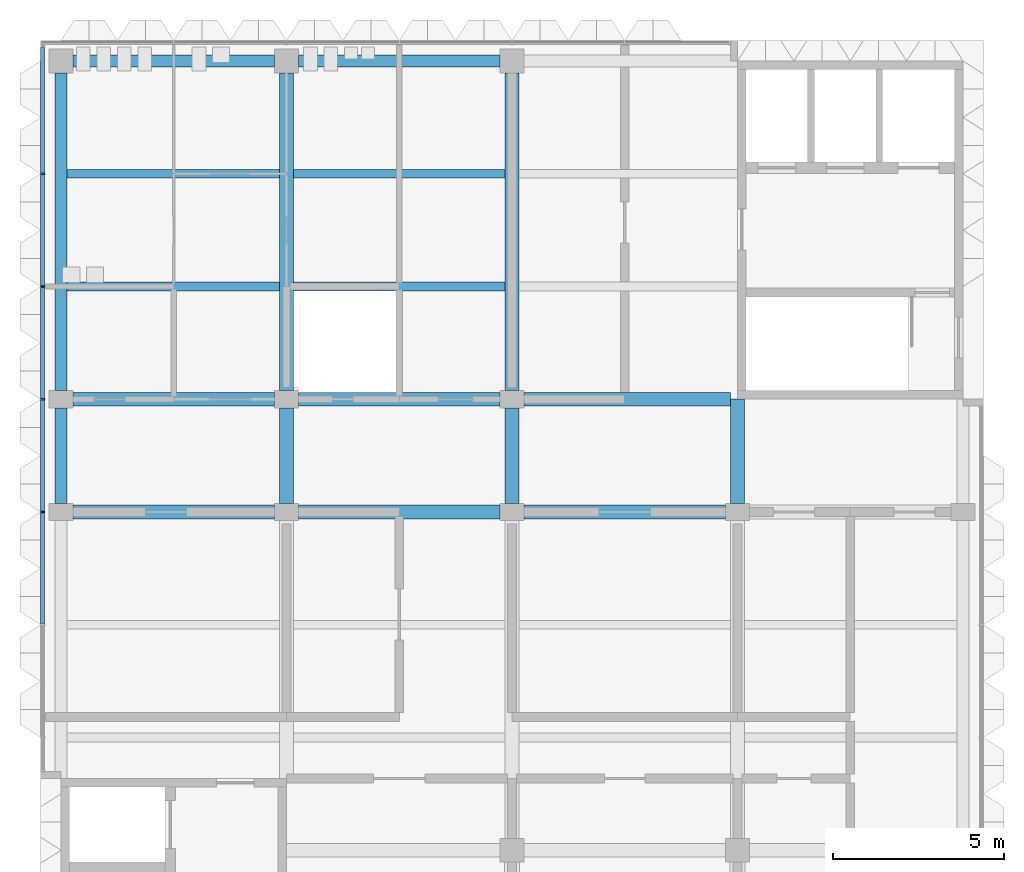
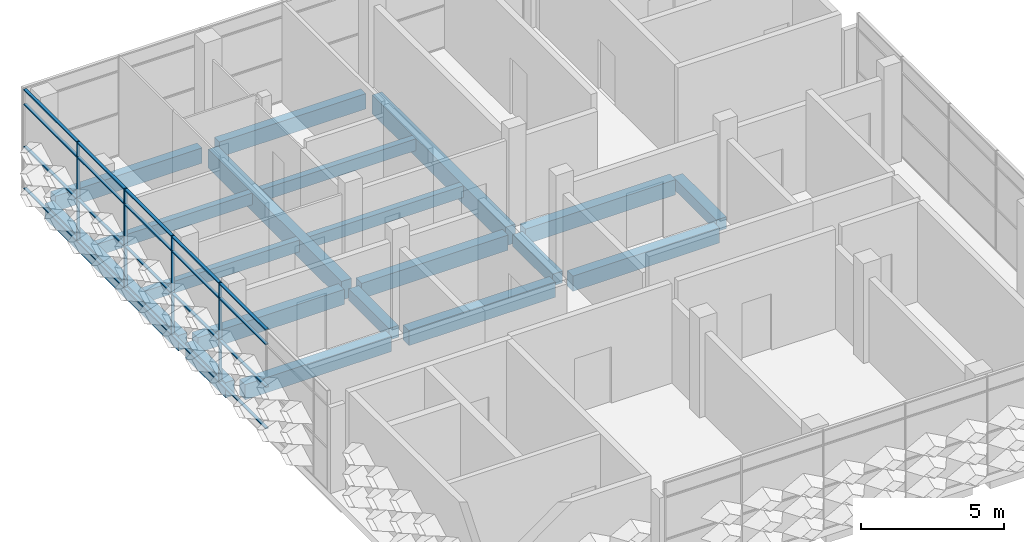
# One storey, part 4 of 21: 24 members, 19 beams, 1 element without a shape of its own.
"""IFC4 building model written with IfcOpenShell, lengths in metres."""

from ifc_helpers import new_model, si_unit, direction, frame, origin, origin_2d, place, context, subcontext, project, spatial, rectangle, extrude, material, material_profile, profile_set, type_object, element, aggregate, save


model = new_model("IFC4")

# Units and contexts
model_context = context("Model", 3, precision=1e-05, world=origin(), true_north=direction((0.0, 1.0)))
body_context = subcontext(model_context, "Body", "Model", "MODEL_VIEW")
ifc_project = project(units=[si_unit("LENGTHUNIT", "METRE"), si_unit("AREAUNIT", "SQUARE_METRE"), si_unit("VOLUMEUNIT", "CUBIC_METRE"), si_unit("PLANEANGLEUNIT", "RADIAN"), si_unit("MASSUNIT", "GRAM", prefix="KILO")], contexts=[model_context])

# Site, building, storey
site_placement = place(None, origin())
site = spatial("IfcSite", under=ifc_project, at=site_placement, CompositionType="ELEMENT")
building_placement = place(site_placement, origin())
building = spatial("IfcBuilding", under=site, at=building_placement, Name="Lantern Court Research Institute", CompositionType="ELEMENT")
storey_placement = place(building_placement, frame((0.0, 0.0, 41.39990234375)))
storey = spatial("IfcBuildingStorey", under=building, at=storey_placement, Name="L09", CompositionType="ELEMENT", Elevation=41.39990234375)

# Curtain wall, members
ifc_material_1 = material(Name="Aluminium alloy 6063-T6", Category="aluminium")
curtain_wall_type = type_object("IfcCurtainWallType", Name="Curtain wall 21250 x 4250 x 120 aluminium frame", PredefinedType="NOTDEFINED", material=ifc_material_1)
curtain_wall_placement = place(storey_placement, origin())
curtain_wall = element("IfcCurtainWall", 1, at=curtain_wall_placement, inside=storey, type_object=curtain_wall_type, Name="Curtain wall CW092", PredefinedType="NOTDEFINED")
ifc_material_2 = material(Name="Aluminium alloy 6063-T6", Category="aluminium")
ifc_material_profile_1 = material_profile(ifc_material_2, rectangle(XDim=0.1201171875, YDim=0.050048828125, at=origin_2d()), Name="Mullion 120 x 50")
ifc_profile_set_1 = profile_set([ifc_material_profile_1], Name="Aluminium alloy 6063-T6")
member_type_1 = type_object("IfcMemberType", Name="Mullion 120 x 50 aluminium", PredefinedType="MULLION", material=ifc_profile_set_1)
member_1_placement = place(storey_placement, frame((52.260009765625, 9.89990234375, 0.0), z_axis=(0.0, 0.0, 1.0), x_axis=(-1.0, 0.0, 0.0)))
member_1 = element("IfcMember", 2, at=member_1_placement, type_object=member_type_1, Name="CW092 mullion 4", PredefinedType="MULLION", context=body_context, shape_type="SweptSolid", body=[
    extrude(rectangle(XDim=0.1201171875, YDim=0.050048828125, at=origin_2d()), origin(), (0.0, 0.0, 1.0), 4.25),
])
member_2_placement = place(storey_placement, frame((52.260009765625, 13.199951171875, 0.0), z_axis=(0.0, 0.0, 1.0), x_axis=(-1.0, 0.0, 0.0)))
member_2 = element("IfcMember", 3, at=member_2_placement, type_object=member_type_1, Name="CW092 mullion 5", PredefinedType="MULLION", context=body_context, shape_type="SweptSolid", body=[
    extrude(rectangle(XDim=0.1201171875, YDim=0.050048828125, at=origin_2d()), origin(), (0.0, 0.0, 1.0), 4.25),
])
member_3_placement = place(storey_placement, frame((52.260009765625, 16.5, 0.0), z_axis=(0.0, 0.0, 1.0), x_axis=(-1.0, 0.0, 0.0)))
member_3 = element("IfcMember", 4, at=member_3_placement, type_object=member_type_1, Name="CW092 mullion 6", PredefinedType="MULLION", context=body_context, shape_type="SweptSolid", body=[
    extrude(rectangle(XDim=0.1201171875, YDim=0.050048828125, at=origin_2d()), origin(), (0.0, 0.0, 1.0), 4.25),
])
member_4_placement = place(storey_placement, frame((52.260009765625, 19.800048828125, 0.0), z_axis=(0.0, 0.0, 1.0), x_axis=(-1.0, 0.0, 0.0)))
member_4 = element("IfcMember", 5, at=member_4_placement, type_object=member_type_1, Name="CW092 mullion 7", PredefinedType="MULLION", context=body_context, shape_type="SweptSolid", body=[
    extrude(rectangle(XDim=0.1201171875, YDim=0.050048828125, at=origin_2d()), origin(), (0.0, 0.0, 1.0), 4.25),
])

# Beams
ifc_material_3 = material(Name="Concrete C40/50", Category="concrete")
ifc_material_profile_2 = material_profile(ifc_material_3, rectangle(XDim=0.39990234375, YDim=0.64990234375, at=origin_2d()), Name="RC beam 400 x 650")
ifc_profile_set_2 = profile_set([ifc_material_profile_2], Name="Concrete C40/50")
beam_type_1 = type_object("IfcBeamType", Name="RC beam 400 x 650", PredefinedType="BEAM", material=ifc_profile_set_2)
beam_1_placement = place(storey_placement, frame((53.14990234375, 9.89990234375, -0.625), z_axis=(1.0, 0.0, 0.0), x_axis=(0.0, 1.0, 0.0)))
element("IfcBeam", 6, at=beam_1_placement, inside=storey, type_object=beam_type_1, Name="Beam L09 grid B/9-10", PredefinedType="BEAM", context=body_context, shape_type="SweptSolid", body=[
    extrude(rectangle(XDim=0.39990234375, YDim=0.64990234375, at=origin_2d()), origin(), (0.0, 0.0, 1.0), 5.900146484375),
])
for number, where, z_axis, x_axis, name in (
    (7, (59.75, 9.89990234375, -0.625), (1.0, 0.0, 0.0), (0.0, 1.0, 0.0), "Beam L09 grid B/10-11"),
    (8, (66.35009765625, 9.89990234375, -0.625), (1.0, 0.0, 0.0), (0.0, 1.0, 0.0), "Beam L09 grid B/11-12"),
):
    element("IfcBeam", number, at=place(storey_placement, frame(where, z_axis=z_axis, x_axis=x_axis)), inside=storey, type_object=beam_type_1, Name=name, PredefinedType="BEAM", context=body_context, shape_type="SweptSolid", body=[
        extrude(rectangle(XDim=0.39990234375, YDim=0.64990234375, at=origin_2d()), origin(), (0.0, 0.0, 1.0), 5.89990234375),
    ])
beam_2_placement = place(storey_placement, frame((53.14990234375, 13.199951171875, -0.625), z_axis=(1.0, 0.0, 0.0), x_axis=(0.0, 1.0, 0.0)))
element("IfcBeam", 9, at=beam_2_placement, inside=storey, type_object=beam_type_1, Name="Beam L09 grid C/9-10", PredefinedType="BEAM", context=body_context, shape_type="SweptSolid", body=[
    extrude(rectangle(XDim=0.39990234375, YDim=0.64990234375, at=origin_2d()), origin(), (0.0, 0.0, 1.0), 5.900146484375),
])
beam_3_placement = place(storey_placement, frame((59.75, 13.199951171875, -0.625), z_axis=(1.0, 0.0, 0.0), x_axis=(0.0, 1.0, 0.0)))
element("IfcBeam", 10, at=beam_3_placement, inside=storey, type_object=beam_type_1, Name="Beam L09 grid C/10-11", PredefinedType="BEAM", context=body_context, shape_type="SweptSolid", body=[
    extrude(rectangle(XDim=0.39990234375, YDim=0.64990234375, at=origin_2d()), origin(), (0.0, 0.0, 1.0), 5.89990234375),
])
beam_4_placement = place(storey_placement, frame((66.35009765625, 13.199951171875, -0.625), z_axis=(1.0, 0.0, 0.0), x_axis=(0.0, 1.0, 0.0)))
element("IfcBeam", 11, at=beam_4_placement, inside=storey, type_object=beam_type_1, Name="Beam L09 grid C/11-12", PredefinedType="BEAM", context=body_context, shape_type="SweptSolid", body=[
    extrude(rectangle(XDim=0.39990234375, YDim=0.64990234375, at=origin_2d()), origin(), (0.0, 0.0, 1.0), 6.0498046875),
])
ifc_material_4 = material(Name="Concrete C40/50", Category="concrete")
ifc_material_profile_3 = material_profile(ifc_material_4, rectangle(XDim=0.35009765625, YDim=0.64990234375, at=origin_2d()), Name="RC beam 350 x 650")
ifc_profile_set_3 = profile_set([ifc_material_profile_3], Name="Concrete C40/50")
beam_type_2 = type_object("IfcBeamType", Name="RC edge beam 350 x 650", PredefinedType="BEAM", material=ifc_profile_set_3)
beam_5_placement = place(storey_placement, frame((52.800048828125, 10.14990234375, -0.625), z_axis=(0.0, 1.0, 0.0), x_axis=(-1.0, 0.0, 0.0)))
element("IfcBeam", 12, at=beam_5_placement, inside=storey, type_object=beam_type_2, Name="Edge beam L09 grid 9/B-C", PredefinedType="BEAM", context=body_context, shape_type="SweptSolid", body=[
    extrude(rectangle(XDim=0.35009765625, YDim=0.64990234375, at=origin_2d()), origin(), (0.0, 0.0, 1.0), 2.800048828125),
])
beam_6_placement = place(storey_placement, frame((52.800048828125, 13.449951171875, -0.625), z_axis=(0.0, 1.0, 0.0), x_axis=(-1.0, 0.0, 0.0)))
element("IfcBeam", 13, at=beam_6_placement, inside=storey, type_object=beam_type_2, Name="Edge beam L09 grid 9/C-D", PredefinedType="BEAM", context=body_context, shape_type="SweptSolid", body=[
    extrude(rectangle(XDim=0.35009765625, YDim=0.64990234375, at=origin_2d()), origin(), (0.0, 0.0, 1.0), 9.300048828125),
])
beam_7_placement = place(storey_placement, frame((53.14990234375, 23.10009765625, -0.625), z_axis=(1.0, 0.0, 0.0), x_axis=(0.0, 1.0, 0.0)))
element("IfcBeam", 14, at=beam_7_placement, inside=storey, type_object=beam_type_2, Name="Edge beam L09 grid D/9-10", PredefinedType="BEAM", context=body_context, shape_type="SweptSolid", body=[
    extrude(rectangle(XDim=0.35009765625, YDim=0.64990234375, at=origin_2d()), origin(), (0.0, 0.0, 1.0), 5.900146484375),
])
beam_8_placement = place(storey_placement, frame((59.75, 23.10009765625, -0.625), z_axis=(1.0, 0.0, 0.0), x_axis=(0.0, 1.0, 0.0)))
element("IfcBeam", 15, at=beam_8_placement, inside=storey, type_object=beam_type_2, Name="Edge beam L09 grid D/10-11", PredefinedType="BEAM", context=body_context, shape_type="SweptSolid", body=[
    extrude(rectangle(XDim=0.35009765625, YDim=0.64990234375, at=origin_2d()), origin(), (0.0, 0.0, 1.0), 5.89990234375),
])
ifc_material_5 = material(Name="Concrete C40/50", Category="concrete")
ifc_material_profile_4 = material_profile(ifc_material_5, rectangle(XDim=0.39990234375, YDim=0.800048828125, at=origin_2d()), Name="RC beam 400 x 800")
ifc_profile_set_4 = profile_set([ifc_material_profile_4], Name="Concrete C40/50")
beam_type_3 = type_object("IfcBeamType", Name="RC girder 400 x 800", PredefinedType="BEAM", material=ifc_profile_set_4)
for number, where, z_axis, x_axis, name in (
    (16, (59.39990234375, 13.449951171875, -0.699951171875), (0.0, 1.0, 0.0), (-1.0, 0.0, 0.0), "Girder L09 grid 10/C-D"),
    (17, (66.0, 13.449951171875, -0.699951171875), (0.0, 1.0, 0.0), (-1.0, 0.0, 0.0), "Girder L09 grid 11/C-D"),
):
    element("IfcBeam", number, at=place(storey_placement, frame(where, z_axis=z_axis, x_axis=x_axis)), inside=storey, type_object=beam_type_3, Name=name, PredefinedType="BEAM", context=body_context, shape_type="SweptSolid", body=[
        extrude(rectangle(XDim=0.39990234375, YDim=0.800048828125, at=origin_2d()), origin(), (0.0, 0.0, 1.0), 9.300048828125),
    ])
ifc_material_6 = material(Name="Concrete C40/50", Category="concrete")
ifc_material_profile_5 = material_profile(ifc_material_6, rectangle(XDim=0.25, YDim=0.5, at=origin_2d()), Name="RC beam 250 x 500")
ifc_profile_set_5 = profile_set([ifc_material_profile_5], Name="Concrete C40/50")
beam_type_4 = type_object("IfcBeamType", Name="RC secondary beam 250 x 500", PredefinedType="BEAM", material=ifc_profile_set_5)
beam_9_placement = place(storey_placement, frame((52.97509765625, 16.5, -0.5498046875), z_axis=(1.0, 0.0, 0.0), x_axis=(0.0, 1.0, 0.0)))
element("IfcBeam", 18, at=beam_9_placement, inside=storey, type_object=beam_type_4, Name="Secondary beam L09 grids 9-10 / C-D, line 1", PredefinedType="BEAM", context=body_context, shape_type="SweptSolid", body=[
    extrude(rectangle(XDim=0.25, YDim=0.5, at=origin_2d()), origin(), (0.0, 0.0, 1.0), 6.224853515625),
])
beam_10_placement = place(storey_placement, frame((59.60009765625, 16.5, -0.5498046875), z_axis=(1.0, 0.0, 0.0), x_axis=(0.0, 1.0, 0.0)))
element("IfcBeam", 19, at=beam_10_placement, inside=storey, type_object=beam_type_4, Name="Secondary beam L09 grids 10-11 / C-D, line 1", PredefinedType="BEAM", context=body_context, shape_type="SweptSolid", body=[
    extrude(rectangle(XDim=0.25, YDim=0.5, at=origin_2d()), origin(), (0.0, 0.0, 1.0), 6.199951171875),
])
beam_11_placement = place(storey_placement, frame((52.97509765625, 19.800048828125, -0.5498046875), z_axis=(1.0, 0.0, 0.0), x_axis=(0.0, 1.0, 0.0)))
element("IfcBeam", 20, at=beam_11_placement, inside=storey, type_object=beam_type_4, Name="Secondary beam L09 grids 9-10 / C-D, line 2", PredefinedType="BEAM", context=body_context, shape_type="SweptSolid", body=[
    extrude(rectangle(XDim=0.25, YDim=0.5, at=origin_2d()), origin(), (0.0, 0.0, 1.0), 6.224853515625),
])
beam_12_placement = place(storey_placement, frame((59.60009765625, 19.800048828125, -0.5498046875), z_axis=(1.0, 0.0, 0.0), x_axis=(0.0, 1.0, 0.0)))
element("IfcBeam", 21, at=beam_12_placement, inside=storey, type_object=beam_type_4, Name="Secondary beam L09 grids 10-11 / C-D, line 2", PredefinedType="BEAM", context=body_context, shape_type="SweptSolid", body=[
    extrude(rectangle(XDim=0.25, YDim=0.5, at=origin_2d()), origin(), (0.0, 0.0, 1.0), 6.199951171875),
])
ifc_material_7 = material(Name="Concrete C40/50", Category="concrete")
ifc_material_profile_6 = material_profile(ifc_material_7, rectangle(XDim=0.39990234375, YDim=0.5, at=origin_2d()), Name="RC beam 400 x 500")
ifc_profile_set_6 = profile_set([ifc_material_profile_6], Name="Concrete C40/50")
beam_type_5 = type_object("IfcBeamType", Name="RC spine beam 400 x 500", PredefinedType="BEAM", material=ifc_profile_set_6)
for number, where, z_axis, x_axis, name in (
    (22, (59.39990234375, 10.14990234375, -0.5498046875), (0.0, 1.0, 0.0), (-1.0, 0.0, 0.0), "Beam L09 grid 10/B-C"),
    (23, (66.0, 10.14990234375, -0.5498046875), (0.0, 1.0, 0.0), (-1.0, 0.0, 0.0), "Beam L09 grid 11/B-C"),
):
    element("IfcBeam", number, at=place(storey_placement, frame(where, z_axis=z_axis, x_axis=x_axis)), inside=storey, type_object=beam_type_5, Name=name, PredefinedType="BEAM", context=body_context, shape_type="SweptSolid", body=[
        extrude(rectangle(XDim=0.39990234375, YDim=0.5, at=origin_2d()), origin(), (0.0, 0.0, 1.0), 2.800048828125),
    ])
beam_13_placement = place(storey_placement, frame((72.60009765625, 10.14990234375, -0.5498046875), z_axis=(0.0, 1.0, 0.0), x_axis=(-1.0, 0.0, 0.0)))
element("IfcBeam", 24, at=beam_13_placement, inside=storey, type_object=beam_type_5, Name="Beam L09 grid 12/B-C", PredefinedType="BEAM", context=body_context, shape_type="SweptSolid", body=[
    extrude(rectangle(XDim=0.39990234375, YDim=0.5, at=origin_2d()), origin(), (0.0, 0.0, 1.0), 3.050048828125),
])

# Member
ifc_material_8 = material(Name="Aluminium alloy 6063-T6", Category="aluminium")
ifc_material_profile_7 = material_profile(ifc_material_8, rectangle(XDim=0.1201171875, YDim=0.050048828125, at=origin_2d()), Name="Transom 120 x 50")
ifc_profile_set_7 = profile_set([ifc_material_profile_7], Name="Aluminium alloy 6063-T6")
member_type_2 = type_object("IfcMemberType", Name="Transom 120 x 50 aluminium", PredefinedType="USERDEFINED", material=ifc_profile_set_7)
member_5_placement = place(storey_placement, frame((52.260009765625, 6.625, 0.025146484375), z_axis=(0.0, 1.0, 0.0), x_axis=(-1.0, 0.0, 0.0)))
member_5 = element("IfcMember", 25, at=member_5_placement, type_object=member_type_2, Name="CW092 transom 3.1", ObjectType="TRANSOM", PredefinedType="USERDEFINED", context=body_context, shape_type="SweptSolid", body=[
    extrude(rectangle(XDim=0.1201171875, YDim=0.050048828125, at=origin_2d()), origin(), (0.0, 0.0, 1.0), 3.25),
])

member_6_placement = place(storey_placement, frame((52.260009765625, 6.625, 1.800048828125), z_axis=(0.0, 1.0, 0.0), x_axis=(-1.0, 0.0, 0.0)))
member_6 = element("IfcMember", 26, at=member_6_placement, type_object=member_type_2, Name="CW092 transom 3.2", ObjectType="TRANSOM", PredefinedType="USERDEFINED", context=body_context, shape_type="SweptSolid", body=[
    extrude(rectangle(XDim=0.1201171875, YDim=0.050048828125, at=origin_2d()), origin(), (0.0, 0.0, 1.0), 3.25),
])

member_7_placement = place(storey_placement, frame((52.260009765625, 6.625, 3.60009765625), z_axis=(0.0, 1.0, 0.0), x_axis=(-1.0, 0.0, 0.0)))
member_7 = element("IfcMember", 27, at=member_7_placement, type_object=member_type_2, Name="CW092 transom 3.3", ObjectType="TRANSOM", PredefinedType="USERDEFINED", context=body_context, shape_type="SweptSolid", body=[
    extrude(rectangle(XDim=0.1201171875, YDim=0.050048828125, at=origin_2d()), origin(), (0.0, 0.0, 1.0), 3.25),
])

member_8_placement = place(storey_placement, frame((52.260009765625, 6.625, 4.22509765625), z_axis=(0.0, 1.0, 0.0), x_axis=(-1.0, 0.0, 0.0)))
member_8 = element("IfcMember", 28, at=member_8_placement, type_object=member_type_2, Name="CW092 transom 3.4", ObjectType="TRANSOM", PredefinedType="USERDEFINED", context=body_context, shape_type="SweptSolid", body=[
    extrude(rectangle(XDim=0.1201171875, YDim=0.050048828125, at=origin_2d()), origin(), (0.0, 0.0, 1.0), 3.25),
])

member_9_placement = place(storey_placement, frame((52.260009765625, 9.925048828125, 0.025146484375), z_axis=(0.0, 1.0, 0.0), x_axis=(-1.0, 0.0, 0.0)))
member_9 = element("IfcMember", 29, at=member_9_placement, type_object=member_type_2, Name="CW092 transom 4.1", ObjectType="TRANSOM", PredefinedType="USERDEFINED", context=body_context, shape_type="SweptSolid", body=[
    extrude(rectangle(XDim=0.1201171875, YDim=0.050048828125, at=origin_2d()), origin(), (0.0, 0.0, 1.0), 3.25),
])

member_10_placement = place(storey_placement, frame((52.260009765625, 9.925048828125, 1.800048828125), z_axis=(0.0, 1.0, 0.0), x_axis=(-1.0, 0.0, 0.0)))
member_10 = element("IfcMember", 30, at=member_10_placement, type_object=member_type_2, Name="CW092 transom 4.2", ObjectType="TRANSOM", PredefinedType="USERDEFINED", context=body_context, shape_type="SweptSolid", body=[
    extrude(rectangle(XDim=0.1201171875, YDim=0.050048828125, at=origin_2d()), origin(), (0.0, 0.0, 1.0), 3.25),
])

member_11_placement = place(storey_placement, frame((52.260009765625, 9.925048828125, 3.60009765625), z_axis=(0.0, 1.0, 0.0), x_axis=(-1.0, 0.0, 0.0)))
member_11 = element("IfcMember", 31, at=member_11_placement, type_object=member_type_2, Name="CW092 transom 4.3", ObjectType="TRANSOM", PredefinedType="USERDEFINED", context=body_context, shape_type="SweptSolid", body=[
    extrude(rectangle(XDim=0.1201171875, YDim=0.050048828125, at=origin_2d()), origin(), (0.0, 0.0, 1.0), 3.25),
])

member_12_placement = place(storey_placement, frame((52.260009765625, 9.925048828125, 4.22509765625), z_axis=(0.0, 1.0, 0.0), x_axis=(-1.0, 0.0, 0.0)))
member_12 = element("IfcMember", 32, at=member_12_placement, type_object=member_type_2, Name="CW092 transom 4.4", ObjectType="TRANSOM", PredefinedType="USERDEFINED", context=body_context, shape_type="SweptSolid", body=[
    extrude(rectangle(XDim=0.1201171875, YDim=0.050048828125, at=origin_2d()), origin(), (0.0, 0.0, 1.0), 3.25),
])

member_13_placement = place(storey_placement, frame((52.260009765625, 13.22509765625, 0.025146484375), z_axis=(0.0, 1.0, 0.0), x_axis=(-1.0, 0.0, 0.0)))
member_13 = element("IfcMember", 33, at=member_13_placement, type_object=member_type_2, Name="CW092 transom 5.1", ObjectType="TRANSOM", PredefinedType="USERDEFINED", context=body_context, shape_type="SweptSolid", body=[
    extrude(rectangle(XDim=0.1201171875, YDim=0.050048828125, at=origin_2d()), origin(), (0.0, 0.0, 1.0), 3.25),
])

member_14_placement = place(storey_placement, frame((52.260009765625, 13.22509765625, 1.800048828125), z_axis=(0.0, 1.0, 0.0), x_axis=(-1.0, 0.0, 0.0)))
member_14 = element("IfcMember", 34, at=member_14_placement, type_object=member_type_2, Name="CW092 transom 5.2", ObjectType="TRANSOM", PredefinedType="USERDEFINED", context=body_context, shape_type="SweptSolid", body=[
    extrude(rectangle(XDim=0.1201171875, YDim=0.050048828125, at=origin_2d()), origin(), (0.0, 0.0, 1.0), 3.25),
])

member_15_placement = place(storey_placement, frame((52.260009765625, 13.22509765625, 3.60009765625), z_axis=(0.0, 1.0, 0.0), x_axis=(-1.0, 0.0, 0.0)))
member_15 = element("IfcMember", 35, at=member_15_placement, type_object=member_type_2, Name="CW092 transom 5.3", ObjectType="TRANSOM", PredefinedType="USERDEFINED", context=body_context, shape_type="SweptSolid", body=[
    extrude(rectangle(XDim=0.1201171875, YDim=0.050048828125, at=origin_2d()), origin(), (0.0, 0.0, 1.0), 3.25),
])

member_16_placement = place(storey_placement, frame((52.260009765625, 13.22509765625, 4.22509765625), z_axis=(0.0, 1.0, 0.0), x_axis=(-1.0, 0.0, 0.0)))
member_16 = element("IfcMember", 36, at=member_16_placement, type_object=member_type_2, Name="CW092 transom 5.4", ObjectType="TRANSOM", PredefinedType="USERDEFINED", context=body_context, shape_type="SweptSolid", body=[
    extrude(rectangle(XDim=0.1201171875, YDim=0.050048828125, at=origin_2d()), origin(), (0.0, 0.0, 1.0), 3.25),
])

member_17_placement = place(storey_placement, frame((52.260009765625, 16.52490234375, 0.025146484375), z_axis=(0.0, 1.0, 0.0), x_axis=(-1.0, 0.0, 0.0)))
member_17 = element("IfcMember", 37, at=member_17_placement, type_object=member_type_2, Name="CW092 transom 6.1", ObjectType="TRANSOM", PredefinedType="USERDEFINED", context=body_context, shape_type="SweptSolid", body=[
    extrude(rectangle(XDim=0.1201171875, YDim=0.050048828125, at=origin_2d()), origin(), (0.0, 0.0, 1.0), 3.25),
])

member_18_placement = place(storey_placement, frame((52.260009765625, 16.52490234375, 1.800048828125), z_axis=(0.0, 1.0, 0.0), x_axis=(-1.0, 0.0, 0.0)))
member_18 = element("IfcMember", 38, at=member_18_placement, type_object=member_type_2, Name="CW092 transom 6.2", ObjectType="TRANSOM", PredefinedType="USERDEFINED", context=body_context, shape_type="SweptSolid", body=[
    extrude(rectangle(XDim=0.1201171875, YDim=0.050048828125, at=origin_2d()), origin(), (0.0, 0.0, 1.0), 3.25),
])

member_19_placement = place(storey_placement, frame((52.260009765625, 16.52490234375, 3.60009765625), z_axis=(0.0, 1.0, 0.0), x_axis=(-1.0, 0.0, 0.0)))
member_19 = element("IfcMember", 39, at=member_19_placement, type_object=member_type_2, Name="CW092 transom 6.3", ObjectType="TRANSOM", PredefinedType="USERDEFINED", context=body_context, shape_type="SweptSolid", body=[
    extrude(rectangle(XDim=0.1201171875, YDim=0.050048828125, at=origin_2d()), origin(), (0.0, 0.0, 1.0), 3.25),
])

member_20_placement = place(storey_placement, frame((52.260009765625, 16.52490234375, 4.22509765625), z_axis=(0.0, 1.0, 0.0), x_axis=(-1.0, 0.0, 0.0)))
member_20 = element("IfcMember", 40, at=member_20_placement, type_object=member_type_2, Name="CW092 transom 6.4", ObjectType="TRANSOM", PredefinedType="USERDEFINED", context=body_context, shape_type="SweptSolid", body=[
    extrude(rectangle(XDim=0.1201171875, YDim=0.050048828125, at=origin_2d()), origin(), (0.0, 0.0, 1.0), 3.25),
])

member_21_placement = place(storey_placement, frame((52.260009765625, 19.824951171875, 0.025146484375), z_axis=(0.0, 1.0, 0.0), x_axis=(-1.0, 0.0, 0.0)))
member_21 = element("IfcMember", 41, at=member_21_placement, type_object=member_type_2, Name="CW092 transom 7.1", ObjectType="TRANSOM", PredefinedType="USERDEFINED", context=body_context, shape_type="SweptSolid", body=[
    extrude(rectangle(XDim=0.1201171875, YDim=0.050048828125, at=origin_2d()), origin(), (0.0, 0.0, 1.0), 3.675048828125),
])

member_22_placement = place(storey_placement, frame((52.260009765625, 19.824951171875, 1.800048828125), z_axis=(0.0, 1.0, 0.0), x_axis=(-1.0, 0.0, 0.0)))
member_22 = element("IfcMember", 42, at=member_22_placement, type_object=member_type_2, Name="CW092 transom 7.2", ObjectType="TRANSOM", PredefinedType="USERDEFINED", context=body_context, shape_type="SweptSolid", body=[
    extrude(rectangle(XDim=0.1201171875, YDim=0.050048828125, at=origin_2d()), origin(), (0.0, 0.0, 1.0), 3.675048828125),
])

member_23_placement = place(storey_placement, frame((52.260009765625, 19.824951171875, 3.60009765625), z_axis=(0.0, 1.0, 0.0), x_axis=(-1.0, 0.0, 0.0)))
member_23 = element("IfcMember", 43, at=member_23_placement, type_object=member_type_2, Name="CW092 transom 7.3", ObjectType="TRANSOM", PredefinedType="USERDEFINED", context=body_context, shape_type="SweptSolid", body=[
    extrude(rectangle(XDim=0.1201171875, YDim=0.050048828125, at=origin_2d()), origin(), (0.0, 0.0, 1.0), 3.675048828125),
])

member_24_placement = place(storey_placement, frame((52.260009765625, 19.824951171875, 4.22509765625), z_axis=(0.0, 1.0, 0.0), x_axis=(-1.0, 0.0, 0.0)))
member_24 = element("IfcMember", 44, at=member_24_placement, type_object=member_type_2, Name="CW092 transom 7.4", ObjectType="TRANSOM", PredefinedType="USERDEFINED", context=body_context, shape_type="SweptSolid", body=[
    extrude(rectangle(XDim=0.1201171875, YDim=0.050048828125, at=origin_2d()), origin(), (0.0, 0.0, 1.0), 3.675048828125),
])

aggregate(curtain_wall, [member_1, member_2, member_3, member_4, member_5, member_6, member_7, member_8, member_9, member_10, member_11, member_12, member_13, member_14, member_15, member_16, member_17, member_18, member_19, member_20, member_21, member_22, member_23, member_24])

save(model, "model.ifc")
